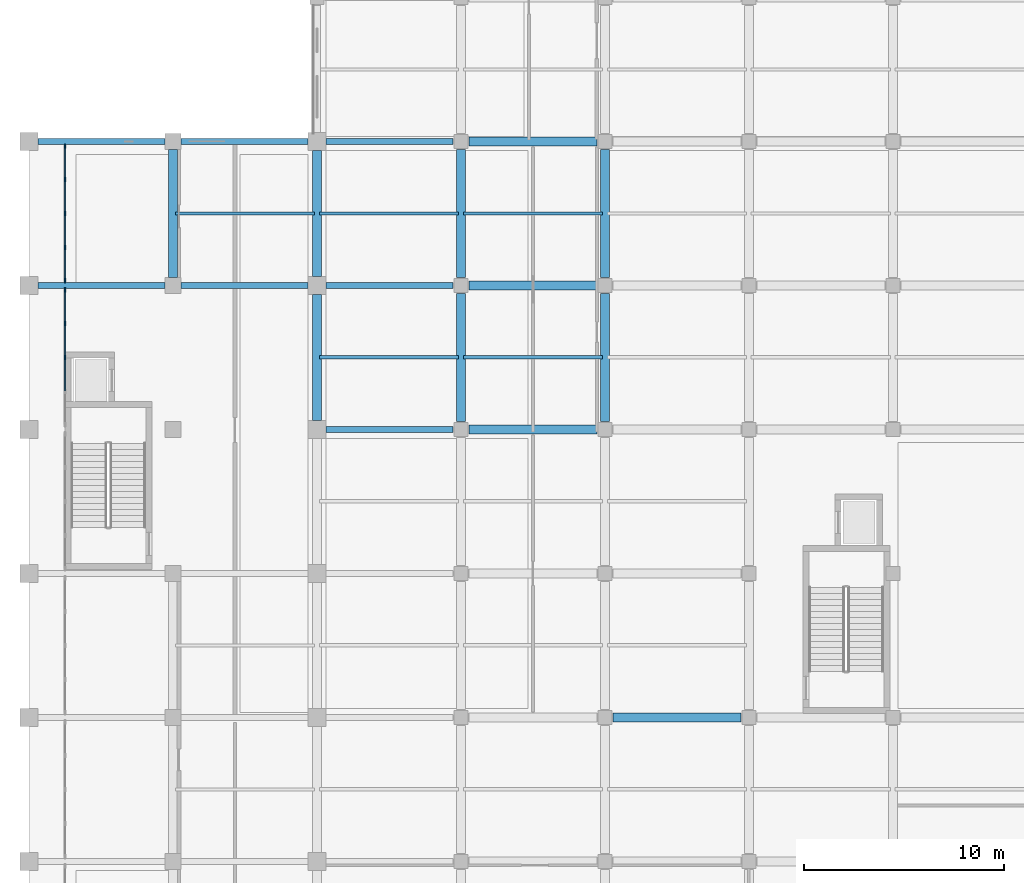
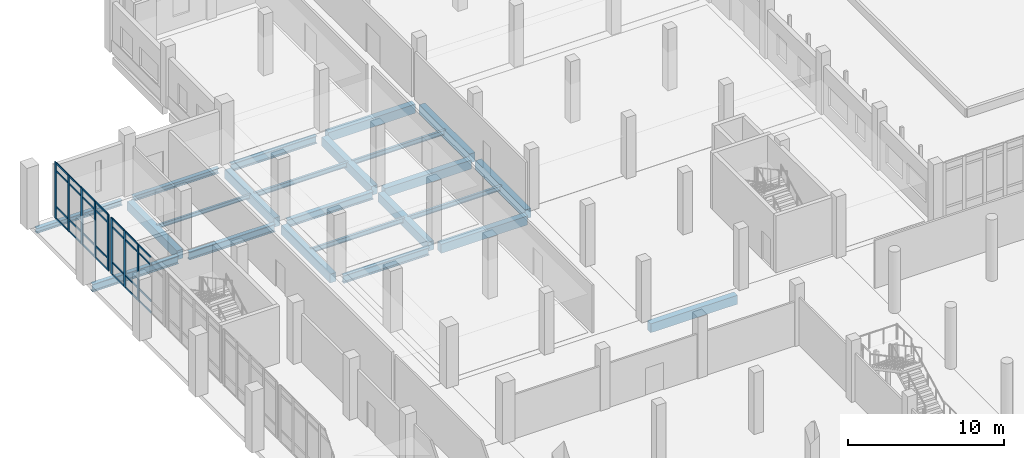
# One storey, part 21 of 59: 36 members, 23 beams, 2 elements without a shape of their own.
"""IFC4 building model written with IfcOpenShell, lengths in metres."""

from ifc_helpers import new_model, si_unit, direction, frame, origin, origin_2d, place, context, subcontext, project, spatial, rectangle, i_section, extrude, material, layer, layer_set, material_profile, profile_set, type_object, element, aggregate, save


model = new_model("IFC4")

# Units and contexts
model_context = context("Model", 3, precision=1e-05, world=origin(), true_north=direction((0.0, 1.0)))
body_context = subcontext(model_context, "Body", "Model", "MODEL_VIEW")
ifc_project = project(units=[si_unit("LENGTHUNIT", "METRE"), si_unit("AREAUNIT", "SQUARE_METRE"), si_unit("VOLUMEUNIT", "CUBIC_METRE"), si_unit("PLANEANGLEUNIT", "RADIAN"), si_unit("MASSUNIT", "GRAM", prefix="KILO")], contexts=[model_context])

# Site, building, storey
site_placement = place(None, origin())
site = spatial("IfcSite", under=ifc_project, at=site_placement, CompositionType="ELEMENT")
building_placement = place(site_placement, origin())
building = spatial("IfcBuilding", under=site, at=building_placement, Name="Valkovuoma Quantum and Materials Research Institute", CompositionType="ELEMENT")
storey_placement = place(building_placement, origin())
storey = spatial("IfcBuildingStorey", under=building, at=storey_placement, Name="L00", CompositionType="ELEMENT", Elevation=0.0)

# Beams
ifc_material_1 = material(Name="Steel S355J2", Category="steel")
ifc_material_profile_1 = material_profile(ifc_material_1, i_section(OverallWidth=0.300048828125, OverallDepth=0.389892578125, WebThickness=0.010986328125, FlangeThickness=0.01904296875, FilletRadius=0.027099609375, at=origin_2d()), Name="Steel S355J2")
ifc_profile_set_1 = profile_set([ifc_material_profile_1], Name="Steel S355J2")
beam_type_1 = type_object("IfcBeamType", Name="Beam-B-HEA400", PredefinedType="SPANDREL", material=ifc_profile_set_1)
beam_1_placement = place(storey_placement, frame((0.449951171875, 93.60009765625, -0.594970703125), z_axis=(1.0, 0.0, 0.0), x_axis=(0.0, 1.0, 0.0)))
element("IfcBeam", 1, at=beam_1_placement, inside=storey, type_object=beam_type_1, Name="L00 beam X-0163", PredefinedType="SPANDREL", context=body_context, shape_type="SweptSolid", body=[
    extrude(i_section(OverallWidth=0.300048828125, OverallDepth=0.389892578125, WebThickness=0.010986328125, FlangeThickness=0.01904296875, FilletRadius=0.027099609375, at=origin_2d()), origin(), (0.0, 0.0, 1.0), 6.35009765625),
])
beam_2_placement = place(storey_placement, frame((7.60009765625, 93.60009765625, -0.594970703125), z_axis=(1.0, 0.0, 0.0), x_axis=(0.0, 1.0, 0.0)))
element("IfcBeam", 2, at=beam_2_placement, inside=storey, type_object=beam_type_1, Name="L00 beam X-0164", PredefinedType="SPANDREL", context=body_context, shape_type="SweptSolid", body=[
    extrude(i_section(OverallWidth=0.300048828125, OverallDepth=0.389892578125, WebThickness=0.010986328125, FlangeThickness=0.01904296875, FilletRadius=0.027099609375, at=origin_2d()), origin(), (0.0, 0.0, 1.0), 6.349853515625),
])
ifc_material_2 = material(Name="Steel S355J2", Category="steel")
ifc_material_profile_2 = material_profile(ifc_material_2, i_section(OverallWidth=0.300048828125, OverallDepth=0.60009765625, WebThickness=0.015380859375, FlangeThickness=0.030029296875, FilletRadius=0.027099609375, at=origin_2d()), Name="Steel S355J2")
ifc_profile_set_2 = profile_set([ifc_material_profile_2], Name="Steel S355J2")
beam_type_2 = type_object("IfcBeamType", Name="Beam-B-HEB600", PredefinedType="BEAM", material=ifc_profile_set_2)
beam_3_placement = place(storey_placement, frame((14.85009765625, 79.199951171875, -0.699951171875), z_axis=(1.0, 0.0, 0.0), x_axis=(0.0, 1.0, 0.0)))
element("IfcBeam", 3, at=beam_3_placement, inside=storey, type_object=beam_type_2, Name="L00 beam X-0141", PredefinedType="BEAM", context=body_context, shape_type="SweptSolid", body=[
    extrude(i_section(OverallWidth=0.300048828125, OverallDepth=0.60009765625, WebThickness=0.015380859375, FlangeThickness=0.030029296875, FilletRadius=0.027099609375, at=origin_2d()), origin(), (0.0, 0.0, 1.0), 6.349853515625),
])
beam_4_placement = place(storey_placement, frame((0.449951171875, 86.39990234375, -0.699951171875), z_axis=(1.0, 0.0, 0.0), x_axis=(0.0, 1.0, 0.0)))
element("IfcBeam", 4, at=beam_4_placement, inside=storey, type_object=beam_type_2, Name="L00 beam X-0151", PredefinedType="BEAM", context=body_context, shape_type="SweptSolid", body=[
    extrude(i_section(OverallWidth=0.300048828125, OverallDepth=0.60009765625, WebThickness=0.015380859375, FlangeThickness=0.030029296875, FilletRadius=0.027099609375, at=origin_2d()), origin(), (0.0, 0.0, 1.0), 6.35009765625),
])
for number, where, z_axis, x_axis, name in (
    (5, (7.60009765625, 86.39990234375, -0.699951171875), (1.0, 0.0, 0.0), (0.0, 1.0, 0.0), "L00 beam X-0152"),
    (6, (14.85009765625, 86.39990234375, -0.699951171875), (1.0, 0.0, 0.0), (0.0, 1.0, 0.0), "L00 beam X-0153"),
    (7, (14.85009765625, 93.60009765625, -0.699951171875), (1.0, 0.0, 0.0), (0.0, 1.0, 0.0), "L00 beam X-0165"),
):
    element("IfcBeam", number, at=place(storey_placement, frame(where, z_axis=z_axis, x_axis=x_axis)), inside=storey, type_object=beam_type_2, Name=name, PredefinedType="BEAM", context=body_context, shape_type="SweptSolid", body=[
        extrude(i_section(OverallWidth=0.300048828125, OverallDepth=0.60009765625, WebThickness=0.015380859375, FlangeThickness=0.030029296875, FilletRadius=0.027099609375, at=origin_2d()), origin(), (0.0, 0.0, 1.0), 6.349853515625),
    ])
ifc_material_3 = material(Name="Steel S355J2", Category="steel")
ifc_material_profile_3 = material_profile(ifc_material_3, i_section(OverallWidth=0.14990234375, OverallDepth=0.300048828125, WebThickness=0.007080078125, FlangeThickness=0.0107421875, FilletRadius=0.014892578125, at=origin_2d()), Name="Steel S355J2")
ifc_profile_set_3 = profile_set([ifc_material_profile_3], Name="Steel S355J2")
beam_type_3 = type_object("IfcBeamType", Name="Beam-B-JST300", PredefinedType="JOIST", material=ifc_profile_set_3)
beam_5_placement = place(storey_placement, frame((7.320068359375, 90.0, -0.550048828125), z_axis=(1.0, 0.0, 0.0), x_axis=(0.0, 1.0, 0.0)))
element("IfcBeam", 8, at=beam_5_placement, inside=storey, type_object=beam_type_3, Name="L00 floor joist 0514", PredefinedType="JOIST", context=body_context, shape_type="SweptSolid", body=[
    extrude(i_section(OverallWidth=0.14990234375, OverallDepth=0.300048828125, WebThickness=0.007080078125, FlangeThickness=0.0107421875, FilletRadius=0.014892578125, at=origin_2d()), origin(), (0.0, 0.0, 1.0), 6.9599609375),
])
ifc_material_4 = material(Name="Steel S355J2", Category="steel")
ifc_material_profile_4 = material_profile(ifc_material_4, i_section(OverallWidth=0.169921875, OverallDepth=0.360107421875, WebThickness=0.008056640625, FlangeThickness=0.0126953125, FilletRadius=0.01806640625, at=origin_2d()), Name="Steel S355J2")
ifc_profile_set_4 = profile_set([ifc_material_profile_4], Name="Steel S355J2")
beam_type_4 = type_object("IfcBeamType", Name="Beam-B-JST360", PredefinedType="JOIST", material=ifc_profile_set_4)
for number, where, z_axis, x_axis, name in (
    (9, (14.52001953125, 82.800048828125, -0.580078125), (1.0, 0.0, 0.0), (0.0, 1.0, 0.0), "L00 floor joist 0504"),
    (10, (21.719970703125, 82.800048828125, -0.580078125), (1.0, 0.0, 0.0), (0.0, 1.0, 0.0), "L00 floor joist 0505"),
    (11, (14.52001953125, 90.0, -0.580078125), (1.0, 0.0, 0.0), (0.0, 1.0, 0.0), "L00 floor joist 0515"),
    (12, (21.719970703125, 90.0, -0.580078125), (1.0, 0.0, 0.0), (0.0, 1.0, 0.0), "L00 floor joist 0516"),
):
    element("IfcBeam", number, at=place(storey_placement, frame(where, z_axis=z_axis, x_axis=x_axis)), inside=storey, type_object=beam_type_4, Name=name, PredefinedType="JOIST", context=body_context, shape_type="SweptSolid", body=[
        extrude(i_section(OverallWidth=0.169921875, OverallDepth=0.360107421875, WebThickness=0.008056640625, FlangeThickness=0.0126953125, FilletRadius=0.01806640625, at=origin_2d()), origin(), (0.0, 0.0, 1.0), 6.9599609375),
    ])
ifc_material_5 = material(Name="Concrete C40/50", Category="concrete")
ifc_material_profile_5 = material_profile(ifc_material_5, rectangle(XDim=0.449951171875, YDim=0.699951171875, at=origin_2d()), Name="Concrete C40/50")
ifc_profile_set_5 = profile_set([ifc_material_profile_5], Name="Concrete C40/50")
beam_type_5 = type_object("IfcBeamType", Name="Beam-B-RC700", PredefinedType="BEAM", material=ifc_profile_set_5)
beam_6_placement = place(storey_placement, frame((29.199951171875, 64.800048828125, -0.75), z_axis=(1.0, 0.0, 0.0), x_axis=(0.0, 1.0, 0.0)))
element("IfcBeam", 13, at=beam_6_placement, inside=storey, type_object=beam_type_5, Name="L00 beam X-0116", PredefinedType="BEAM", context=body_context, shape_type="SweptSolid", body=[
    extrude(rectangle(XDim=0.449951171875, YDim=0.699951171875, at=origin_2d()), origin(), (0.0, 0.0, 1.0), 6.400146484375),
])
for number, where, z_axis, x_axis, name in (
    (14, (22.0, 79.199951171875, -0.75), (1.0, 0.0, 0.0), (0.0, 1.0, 0.0), "L00 beam X-0142"),
    (15, (22.0, 86.39990234375, -0.75), (1.0, 0.0, 0.0), (0.0, 1.0, 0.0), "L00 beam X-0154"),
    (16, (22.0, 93.60009765625, -0.75), (1.0, 0.0, 0.0), (0.0, 1.0, 0.0), "L00 beam X-0166"),
    (17, (7.199951171875, 86.800048828125, -0.75), (0.0, 1.0, 0.0), (-1.0, 0.0, 0.0), "L00 beam Y-0204"),
):
    element("IfcBeam", number, at=place(storey_placement, frame(where, z_axis=z_axis, x_axis=x_axis)), inside=storey, type_object=beam_type_5, Name=name, PredefinedType="BEAM", context=body_context, shape_type="SweptSolid", body=[
        extrude(rectangle(XDim=0.449951171875, YDim=0.699951171875, at=origin_2d()), origin(), (0.0, 0.0, 1.0), 6.39990234375),
    ])
beam_7_placement = place(storey_placement, frame((14.39990234375, 79.64990234375, -0.75), z_axis=(0.0, 1.0, 0.0), x_axis=(-1.0, 0.0, 0.0)))
element("IfcBeam", 18, at=beam_7_placement, inside=storey, type_object=beam_type_5, Name="L00 beam Y-0212", PredefinedType="BEAM", context=body_context, shape_type="SweptSolid", body=[
    extrude(rectangle(XDim=0.449951171875, YDim=0.699951171875, at=origin_2d()), origin(), (0.0, 0.0, 1.0), 6.300048828125),
])
beam_8_placement = place(storey_placement, frame((14.39990234375, 86.85009765625, -0.75), z_axis=(0.0, 1.0, 0.0), x_axis=(-1.0, 0.0, 0.0)))
element("IfcBeam", 19, at=beam_8_placement, inside=storey, type_object=beam_type_5, Name="L00 beam Y-0213", PredefinedType="BEAM", context=body_context, shape_type="SweptSolid", body=[
    extrude(rectangle(XDim=0.449951171875, YDim=0.699951171875, at=origin_2d()), origin(), (0.0, 0.0, 1.0), 6.2998046875),
])
for number, where, z_axis, x_axis, name in (
    (20, (21.60009765625, 79.60009765625, -0.75), (0.0, 1.0, 0.0), (-1.0, 0.0, 0.0), "L00 beam Y-0222"),
    (21, (21.60009765625, 86.800048828125, -0.75), (0.0, 1.0, 0.0), (-1.0, 0.0, 0.0), "L00 beam Y-0223"),
    (22, (28.800048828125, 79.60009765625, -0.75), (0.0, 1.0, 0.0), (-1.0, 0.0, 0.0), "L00 beam Y-0232"),
    (23, (28.800048828125, 86.800048828125, -0.75), (0.0, 1.0, 0.0), (-1.0, 0.0, 0.0), "L00 beam Y-0233"),
):
    element("IfcBeam", number, at=place(storey_placement, frame(where, z_axis=z_axis, x_axis=x_axis)), inside=storey, type_object=beam_type_5, Name=name, PredefinedType="BEAM", context=body_context, shape_type="SweptSolid", body=[
        extrude(rectangle(XDim=0.449951171875, YDim=0.699951171875, at=origin_2d()), origin(), (0.0, 0.0, 1.0), 6.39990234375),
    ])

# Curtain wall, members
ifc_material_6 = material(Name="Thermally broken aluminium and triple low-E glazing", Category="aluminium")
ifc_layer = layer(ifc_material_6, 0.219970703125)
ifc_layer_set = layer_set([ifc_layer], Name="Thermally broken aluminium and triple low-E glazing")
curtain_wall_type = type_object("IfcCurtainWallType", Name="CW-CW-03", PredefinedType="NOTDEFINED", material=ifc_layer_set)
curtain_wall_1_placement = place(storey_placement, origin())
curtain_wall_1 = element("IfcCurtainWall", 24, at=curtain_wall_1_placement, inside=storey, type_object=curtain_wall_type, Name="L00 curtain wall 006", PredefinedType="NOTDEFINED")
ifc_material_7 = material(Name="Anodised aluminium 6060-T66", Category="aluminium")
ifc_material_profile_6 = material_profile(ifc_material_7, rectangle(XDim=0.074951171875, YDim=0.219970703125, at=origin_2d()), Name="Anodised aluminium 6060-T66")
ifc_profile_set_6 = profile_set([ifc_material_profile_6], Name="Anodised aluminium 6060-T66")
member_type_1 = type_object("IfcMemberType", Name="CWMull-CWM-02", PredefinedType="MULLION", material=ifc_profile_set_6)
member_1_placement = place(storey_placement, frame((1.800048828125, 82.800048828125, 0.0), z_axis=(0.0, 0.0, 1.0), x_axis=(-1.0, 0.0, 0.0)))
member_1 = element("IfcMember", 25, at=member_1_placement, type_object=member_type_1, Name="CW-03 mullion 3", PredefinedType="MULLION", context=body_context, shape_type="SweptSolid", body=[
    extrude(rectangle(XDim=0.074951171875, YDim=0.219970703125, at=origin_2d()), origin(), (0.0, 0.0, 1.0), 4.39990234375),
])
member_2_placement = place(storey_placement, frame((1.800048828125, 84.5, 0.0), z_axis=(0.0, 0.0, 1.0), x_axis=(-1.0, 0.0, 0.0)))
member_2 = element("IfcMember", 26, at=member_2_placement, type_object=member_type_1, Name="CW-03 mullion 4", PredefinedType="MULLION", context=body_context, shape_type="SweptSolid", body=[
    extrude(rectangle(XDim=0.074951171875, YDim=0.219970703125, at=origin_2d()), origin(), (0.0, 0.0, 1.0), 4.39990234375),
])
member_3_placement = place(storey_placement, frame((1.800048828125, 86.16259765625, 0.0), z_axis=(0.0, 0.0, 1.0), x_axis=(-1.0, 0.0, 0.0)))
member_3 = element("IfcMember", 27, at=member_3_placement, type_object=member_type_1, Name="CW-03 mullion 5", PredefinedType="MULLION", context=body_context, shape_type="SweptSolid", body=[
    extrude(rectangle(XDim=0.074951171875, YDim=0.219970703125, at=origin_2d()), origin(), (0.0, 0.0, 1.0), 4.39990234375),
])

curtain_wall_2_placement = place(storey_placement, origin())
curtain_wall_2 = element("IfcCurtainWall", 28, at=curtain_wall_2_placement, inside=storey, type_object=curtain_wall_type, Name="L00 curtain wall 007", PredefinedType="NOTDEFINED")
member_4_placement = place(storey_placement, frame((1.800048828125, 86.637451171875, 0.0), z_axis=(0.0, 0.0, 1.0), x_axis=(-1.0, 0.0, 0.0)))
member_4 = element("IfcMember", 29, at=member_4_placement, type_object=member_type_1, Name="CW-03 mullion 1", PredefinedType="MULLION", context=body_context, shape_type="SweptSolid", body=[
    extrude(rectangle(XDim=0.074951171875, YDim=0.219970703125, at=origin_2d()), origin(), (0.0, 0.0, 1.0), 4.39990234375),
])
member_5_placement = place(storey_placement, frame((1.800048828125, 88.300048828125, 0.0), z_axis=(0.0, 0.0, 1.0), x_axis=(-1.0, 0.0, 0.0)))
member_5 = element("IfcMember", 30, at=member_5_placement, type_object=member_type_1, Name="CW-03 mullion 2", PredefinedType="MULLION", context=body_context, shape_type="SweptSolid", body=[
    extrude(rectangle(XDim=0.074951171875, YDim=0.219970703125, at=origin_2d()), origin(), (0.0, 0.0, 1.0), 4.39990234375),
])
member_6_placement = place(storey_placement, frame((1.800048828125, 90.0, 0.0), z_axis=(0.0, 0.0, 1.0), x_axis=(-1.0, 0.0, 0.0)))
member_6 = element("IfcMember", 31, at=member_6_placement, type_object=member_type_1, Name="CW-03 mullion 3", PredefinedType="MULLION", context=body_context, shape_type="SweptSolid", body=[
    extrude(rectangle(XDim=0.074951171875, YDim=0.219970703125, at=origin_2d()), origin(), (0.0, 0.0, 1.0), 4.39990234375),
])
member_7_placement = place(storey_placement, frame((1.800048828125, 91.699951171875, 0.0), z_axis=(0.0, 0.0, 1.0), x_axis=(-1.0, 0.0, 0.0)))
member_7 = element("IfcMember", 32, at=member_7_placement, type_object=member_type_1, Name="CW-03 mullion 4", PredefinedType="MULLION", context=body_context, shape_type="SweptSolid", body=[
    extrude(rectangle(XDim=0.074951171875, YDim=0.219970703125, at=origin_2d()), origin(), (0.0, 0.0, 1.0), 4.39990234375),
])
member_8_placement = place(storey_placement, frame((1.800048828125, 93.362548828125, 0.0), z_axis=(0.0, 0.0, 1.0), x_axis=(-1.0, 0.0, 0.0)))
member_8 = element("IfcMember", 33, at=member_8_placement, type_object=member_type_1, Name="CW-03 mullion 5", PredefinedType="MULLION", context=body_context, shape_type="SweptSolid", body=[
    extrude(rectangle(XDim=0.074951171875, YDim=0.219970703125, at=origin_2d()), origin(), (0.0, 0.0, 1.0), 4.39990234375),
])

# Member
ifc_material_8 = material(Name="Anodised aluminium 6060-T66", Category="aluminium")
ifc_material_profile_7 = material_profile(ifc_material_8, rectangle(XDim=0.06494140625, YDim=0.139892578125, at=origin_2d()), Name="Anodised aluminium 6060-T66")
ifc_profile_set_7 = profile_set([ifc_material_profile_7], Name="Anodised aluminium 6060-T66")
member_type_2 = type_object("IfcMemberType", Name="CWTran-CWT-01", PredefinedType="USERDEFINED", material=ifc_profile_set_7)
member_9_placement = place(storey_placement, frame((1.800048828125, 81.137451171875, 0.032470703125), z_axis=(0.0, 1.0, 0.0), x_axis=(-1.0, 0.0, 0.0)))
member_9 = element("IfcMember", 34, at=member_9_placement, type_object=member_type_2, Name="CW-03 transom 2.1", ObjectType="TRANSOM", PredefinedType="USERDEFINED", context=body_context, shape_type="SweptSolid", body=[
    extrude(rectangle(XDim=0.06494140625, YDim=0.139892578125, at=origin_2d()), origin(), (0.0, 0.0, 1.0), 1.625),
])

member_10_placement = place(storey_placement, frame((1.800048828125, 81.137451171875, 0.949951171875), z_axis=(0.0, 1.0, 0.0), x_axis=(-1.0, 0.0, 0.0)))
member_10 = element("IfcMember", 35, at=member_10_placement, type_object=member_type_2, Name="CW-03 transom 2.2", ObjectType="TRANSOM", PredefinedType="USERDEFINED", context=body_context, shape_type="SweptSolid", body=[
    extrude(rectangle(XDim=0.06494140625, YDim=0.139892578125, at=origin_2d()), origin(), (0.0, 0.0, 1.0), 1.625),
])

member_11_placement = place(storey_placement, frame((1.800048828125, 81.137451171875, 3.75), z_axis=(0.0, 1.0, 0.0), x_axis=(-1.0, 0.0, 0.0)))
member_11 = element("IfcMember", 36, at=member_11_placement, type_object=member_type_2, Name="CW-03 transom 2.3", ObjectType="TRANSOM", PredefinedType="USERDEFINED", context=body_context, shape_type="SweptSolid", body=[
    extrude(rectangle(XDim=0.06494140625, YDim=0.139892578125, at=origin_2d()), origin(), (0.0, 0.0, 1.0), 1.625),
])

member_12_placement = place(storey_placement, frame((1.800048828125, 81.137451171875, 4.367431640625), z_axis=(0.0, 1.0, 0.0), x_axis=(-1.0, 0.0, 0.0)))
member_12 = element("IfcMember", 37, at=member_12_placement, type_object=member_type_2, Name="CW-03 transom 2.4", ObjectType="TRANSOM", PredefinedType="USERDEFINED", context=body_context, shape_type="SweptSolid", body=[
    extrude(rectangle(XDim=0.06494140625, YDim=0.139892578125, at=origin_2d()), origin(), (0.0, 0.0, 1.0), 1.625),
])

member_13_placement = place(storey_placement, frame((1.800048828125, 82.83740234375, 0.032470703125), z_axis=(0.0, 1.0, 0.0), x_axis=(-1.0, 0.0, 0.0)))
member_13 = element("IfcMember", 38, at=member_13_placement, type_object=member_type_2, Name="CW-03 transom 3.1", ObjectType="TRANSOM", PredefinedType="USERDEFINED", context=body_context, shape_type="SweptSolid", body=[
    extrude(rectangle(XDim=0.06494140625, YDim=0.139892578125, at=origin_2d()), origin(), (0.0, 0.0, 1.0), 1.625),
])

member_14_placement = place(storey_placement, frame((1.800048828125, 82.83740234375, 0.949951171875), z_axis=(0.0, 1.0, 0.0), x_axis=(-1.0, 0.0, 0.0)))
member_14 = element("IfcMember", 39, at=member_14_placement, type_object=member_type_2, Name="CW-03 transom 3.2", ObjectType="TRANSOM", PredefinedType="USERDEFINED", context=body_context, shape_type="SweptSolid", body=[
    extrude(rectangle(XDim=0.06494140625, YDim=0.139892578125, at=origin_2d()), origin(), (0.0, 0.0, 1.0), 1.625),
])

member_15_placement = place(storey_placement, frame((1.800048828125, 82.83740234375, 3.75), z_axis=(0.0, 1.0, 0.0), x_axis=(-1.0, 0.0, 0.0)))
member_15 = element("IfcMember", 40, at=member_15_placement, type_object=member_type_2, Name="CW-03 transom 3.3", ObjectType="TRANSOM", PredefinedType="USERDEFINED", context=body_context, shape_type="SweptSolid", body=[
    extrude(rectangle(XDim=0.06494140625, YDim=0.139892578125, at=origin_2d()), origin(), (0.0, 0.0, 1.0), 1.625),
])

member_16_placement = place(storey_placement, frame((1.800048828125, 82.83740234375, 4.367431640625), z_axis=(0.0, 1.0, 0.0), x_axis=(-1.0, 0.0, 0.0)))
member_16 = element("IfcMember", 41, at=member_16_placement, type_object=member_type_2, Name="CW-03 transom 3.4", ObjectType="TRANSOM", PredefinedType="USERDEFINED", context=body_context, shape_type="SweptSolid", body=[
    extrude(rectangle(XDim=0.06494140625, YDim=0.139892578125, at=origin_2d()), origin(), (0.0, 0.0, 1.0), 1.625),
])

member_17_placement = place(storey_placement, frame((1.800048828125, 84.53759765625, 0.032470703125), z_axis=(0.0, 1.0, 0.0), x_axis=(-1.0, 0.0, 0.0)))
member_17 = element("IfcMember", 42, at=member_17_placement, type_object=member_type_2, Name="CW-03 transom 4.1", ObjectType="TRANSOM", PredefinedType="USERDEFINED", context=body_context, shape_type="SweptSolid", body=[
    extrude(rectangle(XDim=0.06494140625, YDim=0.139892578125, at=origin_2d()), origin(), (0.0, 0.0, 1.0), 1.58740234375),
])

member_18_placement = place(storey_placement, frame((1.800048828125, 84.53759765625, 0.949951171875), z_axis=(0.0, 1.0, 0.0), x_axis=(-1.0, 0.0, 0.0)))
member_18 = element("IfcMember", 43, at=member_18_placement, type_object=member_type_2, Name="CW-03 transom 4.2", ObjectType="TRANSOM", PredefinedType="USERDEFINED", context=body_context, shape_type="SweptSolid", body=[
    extrude(rectangle(XDim=0.06494140625, YDim=0.139892578125, at=origin_2d()), origin(), (0.0, 0.0, 1.0), 1.58740234375),
])

member_19_placement = place(storey_placement, frame((1.800048828125, 84.53759765625, 3.75), z_axis=(0.0, 1.0, 0.0), x_axis=(-1.0, 0.0, 0.0)))
member_19 = element("IfcMember", 44, at=member_19_placement, type_object=member_type_2, Name="CW-03 transom 4.3", ObjectType="TRANSOM", PredefinedType="USERDEFINED", context=body_context, shape_type="SweptSolid", body=[
    extrude(rectangle(XDim=0.06494140625, YDim=0.139892578125, at=origin_2d()), origin(), (0.0, 0.0, 1.0), 1.58740234375),
])

member_20_placement = place(storey_placement, frame((1.800048828125, 84.53759765625, 4.367431640625), z_axis=(0.0, 1.0, 0.0), x_axis=(-1.0, 0.0, 0.0)))
member_20 = element("IfcMember", 45, at=member_20_placement, type_object=member_type_2, Name="CW-03 transom 4.4", ObjectType="TRANSOM", PredefinedType="USERDEFINED", context=body_context, shape_type="SweptSolid", body=[
    extrude(rectangle(XDim=0.06494140625, YDim=0.139892578125, at=origin_2d()), origin(), (0.0, 0.0, 1.0), 1.58740234375),
])

aggregate(curtain_wall_1, [member_1, member_2, member_3, member_9, member_10, member_11, member_12, member_13, member_14, member_15, member_16, member_17, member_18, member_19, member_20])

member_21_placement = place(storey_placement, frame((1.800048828125, 86.675048828125, 0.032470703125), z_axis=(0.0, 1.0, 0.0), x_axis=(-1.0, 0.0, 0.0)))
member_21 = element("IfcMember", 46, at=member_21_placement, type_object=member_type_2, Name="CW-03 transom 1.1", ObjectType="TRANSOM", PredefinedType="USERDEFINED", context=body_context, shape_type="SweptSolid", body=[
    extrude(rectangle(XDim=0.06494140625, YDim=0.139892578125, at=origin_2d()), origin(), (0.0, 0.0, 1.0), 1.58740234375),
])

member_22_placement = place(storey_placement, frame((1.800048828125, 86.675048828125, 0.949951171875), z_axis=(0.0, 1.0, 0.0), x_axis=(-1.0, 0.0, 0.0)))
member_22 = element("IfcMember", 47, at=member_22_placement, type_object=member_type_2, Name="CW-03 transom 1.2", ObjectType="TRANSOM", PredefinedType="USERDEFINED", context=body_context, shape_type="SweptSolid", body=[
    extrude(rectangle(XDim=0.06494140625, YDim=0.139892578125, at=origin_2d()), origin(), (0.0, 0.0, 1.0), 1.58740234375),
])

member_23_placement = place(storey_placement, frame((1.800048828125, 86.675048828125, 3.75), z_axis=(0.0, 1.0, 0.0), x_axis=(-1.0, 0.0, 0.0)))
member_23 = element("IfcMember", 48, at=member_23_placement, type_object=member_type_2, Name="CW-03 transom 1.3", ObjectType="TRANSOM", PredefinedType="USERDEFINED", context=body_context, shape_type="SweptSolid", body=[
    extrude(rectangle(XDim=0.06494140625, YDim=0.139892578125, at=origin_2d()), origin(), (0.0, 0.0, 1.0), 1.58740234375),
])

member_24_placement = place(storey_placement, frame((1.800048828125, 86.675048828125, 4.367431640625), z_axis=(0.0, 1.0, 0.0), x_axis=(-1.0, 0.0, 0.0)))
member_24 = element("IfcMember", 49, at=member_24_placement, type_object=member_type_2, Name="CW-03 transom 1.4", ObjectType="TRANSOM", PredefinedType="USERDEFINED", context=body_context, shape_type="SweptSolid", body=[
    extrude(rectangle(XDim=0.06494140625, YDim=0.139892578125, at=origin_2d()), origin(), (0.0, 0.0, 1.0), 1.58740234375),
])

member_25_placement = place(storey_placement, frame((1.800048828125, 88.33740234375, 0.032470703125), z_axis=(0.0, 1.0, 0.0), x_axis=(-1.0, 0.0, 0.0)))
member_25 = element("IfcMember", 50, at=member_25_placement, type_object=member_type_2, Name="CW-03 transom 2.1", ObjectType="TRANSOM", PredefinedType="USERDEFINED", context=body_context, shape_type="SweptSolid", body=[
    extrude(rectangle(XDim=0.06494140625, YDim=0.139892578125, at=origin_2d()), origin(), (0.0, 0.0, 1.0), 1.625),
])

member_26_placement = place(storey_placement, frame((1.800048828125, 88.33740234375, 0.949951171875), z_axis=(0.0, 1.0, 0.0), x_axis=(-1.0, 0.0, 0.0)))
member_26 = element("IfcMember", 51, at=member_26_placement, type_object=member_type_2, Name="CW-03 transom 2.2", ObjectType="TRANSOM", PredefinedType="USERDEFINED", context=body_context, shape_type="SweptSolid", body=[
    extrude(rectangle(XDim=0.06494140625, YDim=0.139892578125, at=origin_2d()), origin(), (0.0, 0.0, 1.0), 1.625),
])

member_27_placement = place(storey_placement, frame((1.800048828125, 88.33740234375, 3.75), z_axis=(0.0, 1.0, 0.0), x_axis=(-1.0, 0.0, 0.0)))
member_27 = element("IfcMember", 52, at=member_27_placement, type_object=member_type_2, Name="CW-03 transom 2.3", ObjectType="TRANSOM", PredefinedType="USERDEFINED", context=body_context, shape_type="SweptSolid", body=[
    extrude(rectangle(XDim=0.06494140625, YDim=0.139892578125, at=origin_2d()), origin(), (0.0, 0.0, 1.0), 1.625),
])

member_28_placement = place(storey_placement, frame((1.800048828125, 88.33740234375, 4.367431640625), z_axis=(0.0, 1.0, 0.0), x_axis=(-1.0, 0.0, 0.0)))
member_28 = element("IfcMember", 53, at=member_28_placement, type_object=member_type_2, Name="CW-03 transom 2.4", ObjectType="TRANSOM", PredefinedType="USERDEFINED", context=body_context, shape_type="SweptSolid", body=[
    extrude(rectangle(XDim=0.06494140625, YDim=0.139892578125, at=origin_2d()), origin(), (0.0, 0.0, 1.0), 1.625),
])

member_29_placement = place(storey_placement, frame((1.800048828125, 90.03759765625, 0.032470703125), z_axis=(0.0, 1.0, 0.0), x_axis=(-1.0, 0.0, 0.0)))
member_29 = element("IfcMember", 54, at=member_29_placement, type_object=member_type_2, Name="CW-03 transom 3.1", ObjectType="TRANSOM", PredefinedType="USERDEFINED", context=body_context, shape_type="SweptSolid", body=[
    extrude(rectangle(XDim=0.06494140625, YDim=0.139892578125, at=origin_2d()), origin(), (0.0, 0.0, 1.0), 1.625),
])

member_30_placement = place(storey_placement, frame((1.800048828125, 90.03759765625, 0.949951171875), z_axis=(0.0, 1.0, 0.0), x_axis=(-1.0, 0.0, 0.0)))
member_30 = element("IfcMember", 55, at=member_30_placement, type_object=member_type_2, Name="CW-03 transom 3.2", ObjectType="TRANSOM", PredefinedType="USERDEFINED", context=body_context, shape_type="SweptSolid", body=[
    extrude(rectangle(XDim=0.06494140625, YDim=0.139892578125, at=origin_2d()), origin(), (0.0, 0.0, 1.0), 1.625),
])

member_31_placement = place(storey_placement, frame((1.800048828125, 90.03759765625, 3.75), z_axis=(0.0, 1.0, 0.0), x_axis=(-1.0, 0.0, 0.0)))
member_31 = element("IfcMember", 56, at=member_31_placement, type_object=member_type_2, Name="CW-03 transom 3.3", ObjectType="TRANSOM", PredefinedType="USERDEFINED", context=body_context, shape_type="SweptSolid", body=[
    extrude(rectangle(XDim=0.06494140625, YDim=0.139892578125, at=origin_2d()), origin(), (0.0, 0.0, 1.0), 1.625),
])

member_32_placement = place(storey_placement, frame((1.800048828125, 90.03759765625, 4.367431640625), z_axis=(0.0, 1.0, 0.0), x_axis=(-1.0, 0.0, 0.0)))
member_32 = element("IfcMember", 57, at=member_32_placement, type_object=member_type_2, Name="CW-03 transom 3.4", ObjectType="TRANSOM", PredefinedType="USERDEFINED", context=body_context, shape_type="SweptSolid", body=[
    extrude(rectangle(XDim=0.06494140625, YDim=0.139892578125, at=origin_2d()), origin(), (0.0, 0.0, 1.0), 1.625),
])

member_33_placement = place(storey_placement, frame((1.800048828125, 91.737548828125, 0.032470703125), z_axis=(0.0, 1.0, 0.0), x_axis=(-1.0, 0.0, 0.0)))
member_33 = element("IfcMember", 58, at=member_33_placement, type_object=member_type_2, Name="CW-03 transom 4.1", ObjectType="TRANSOM", PredefinedType="USERDEFINED", context=body_context, shape_type="SweptSolid", body=[
    extrude(rectangle(XDim=0.06494140625, YDim=0.139892578125, at=origin_2d()), origin(), (0.0, 0.0, 1.0), 1.58740234375),
])

member_34_placement = place(storey_placement, frame((1.800048828125, 91.737548828125, 0.949951171875), z_axis=(0.0, 1.0, 0.0), x_axis=(-1.0, 0.0, 0.0)))
member_34 = element("IfcMember", 59, at=member_34_placement, type_object=member_type_2, Name="CW-03 transom 4.2", ObjectType="TRANSOM", PredefinedType="USERDEFINED", context=body_context, shape_type="SweptSolid", body=[
    extrude(rectangle(XDim=0.06494140625, YDim=0.139892578125, at=origin_2d()), origin(), (0.0, 0.0, 1.0), 1.58740234375),
])

member_35_placement = place(storey_placement, frame((1.800048828125, 91.737548828125, 3.75), z_axis=(0.0, 1.0, 0.0), x_axis=(-1.0, 0.0, 0.0)))
member_35 = element("IfcMember", 60, at=member_35_placement, type_object=member_type_2, Name="CW-03 transom 4.3", ObjectType="TRANSOM", PredefinedType="USERDEFINED", context=body_context, shape_type="SweptSolid", body=[
    extrude(rectangle(XDim=0.06494140625, YDim=0.139892578125, at=origin_2d()), origin(), (0.0, 0.0, 1.0), 1.58740234375),
])

member_36_placement = place(storey_placement, frame((1.800048828125, 91.737548828125, 4.367431640625), z_axis=(0.0, 1.0, 0.0), x_axis=(-1.0, 0.0, 0.0)))
member_36 = element("IfcMember", 61, at=member_36_placement, type_object=member_type_2, Name="CW-03 transom 4.4", ObjectType="TRANSOM", PredefinedType="USERDEFINED", context=body_context, shape_type="SweptSolid", body=[
    extrude(rectangle(XDim=0.06494140625, YDim=0.139892578125, at=origin_2d()), origin(), (0.0, 0.0, 1.0), 1.58740234375),
])

aggregate(curtain_wall_2, [member_4, member_5, member_6, member_7, member_8, member_21, member_22, member_23, member_24, member_25, member_26, member_27, member_28, member_29, member_30, member_31, member_32, member_33, member_34, member_35, member_36])

save(model, "model.ifc")
